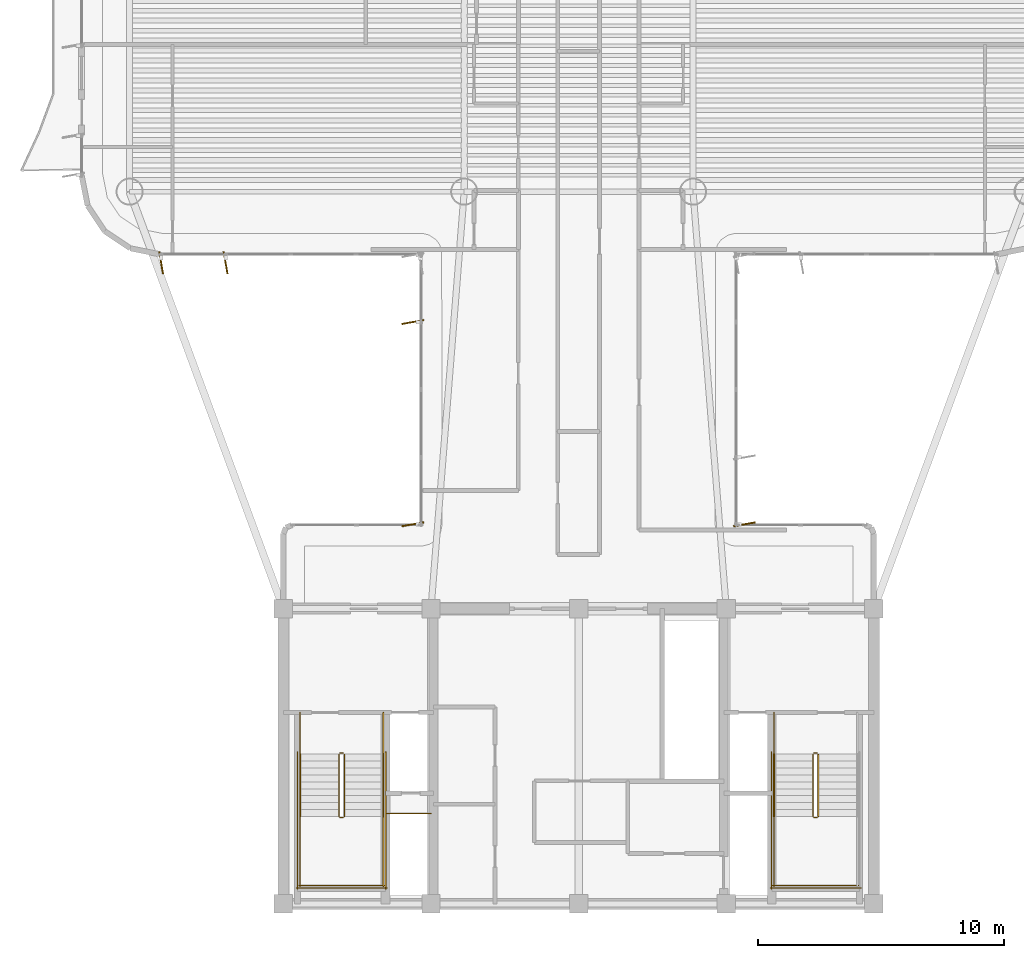
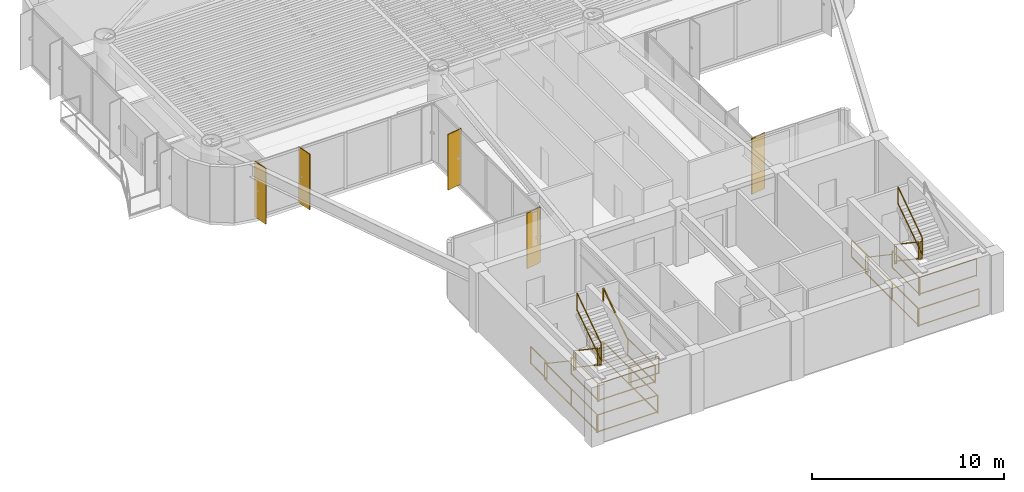
# One storey, part 13 of 14: 25 railings, 5 shading devices.
"""IFC4 building model written with IfcOpenShell, lengths in metres."""

from ifc_helpers import new_model, si_unit, direction, frame, origin, origin_2d, place, context, subcontext, project, spatial, rectangle, extrude, source, transform, mapped, material, layer, layer_set, material_profile, profile_set, type_object, element, save


model = new_model("IFC4")

# Units and contexts
model_context = context("Model", 3, precision=1e-05, world=origin(), true_north=direction((0.0, 1.0)))
body_context = subcontext(model_context, "Body", "Model", "MODEL_VIEW")
ifc_project = project(units=[si_unit("LENGTHUNIT", "METRE"), si_unit("AREAUNIT", "SQUARE_METRE"), si_unit("VOLUMEUNIT", "CUBIC_METRE"), si_unit("PLANEANGLEUNIT", "RADIAN"), si_unit("MASSUNIT", "GRAM", prefix="KILO")], contexts=[model_context])

# Site, building, storey
site_placement = place(None, origin())
site = spatial("IfcSite", under=ifc_project, at=site_placement, CompositionType="ELEMENT")
building_placement = place(site_placement, origin())
building = spatial("IfcBuilding", under=site, at=building_placement, Name="Brelvock Crest Care Tower", CompositionType="ELEMENT")
storey_placement = place(building_placement, frame((0.0, 0.0, 205.56005859375)))
storey = spatial("IfcBuildingStorey", under=building, at=storey_placement, Name="L52", CompositionType="ELEMENT", Elevation=205.56005859375)

# Railings
ifc_material_1 = material(Name="Steel Grade 350", Category="steel")
ifc_layer_1 = layer(ifc_material_1, 0.050048828125, Name="RL-STG1")
ifc_layer_set_1 = layer_set([ifc_layer_1], Name="Steel Grade 350")
railing_type_1 = type_object("IfcRailingType", Name="RL-STG1", PredefinedType="GUARDRAIL", material=ifc_layer_set_1)
railing_1_placement = place(storey_placement, frame((26.260009765625, 12.080078125, 0.18896484375)))
element("IfcRailing", 1, at=railing_1_placement, inside=storey, type_object=railing_type_1, Name="L52 ST-1 stair guard 1", PredefinedType="GUARDRAIL", context=body_context, shape_type="SweptSolid", body=[
    extrude(rectangle(XDim=0.048095703125, YDim=0.048095703125, at=origin_2d()), frame((0.0, -0.001708984375, 1.116943359375), z_axis=(0.0, -0.828861706735, 0.559453546873), x_axis=(1.0, 0.0, 0.0)), (0.0, 0.0, 1.0), 3.036376953125),
    extrude(rectangle(XDim=0.048095703125, YDim=0.048095703125, at=origin_2d()), frame((0.0, -0.001708984375, 0.05615234375), z_axis=(0.0, -0.828861706735, 0.559453546873), x_axis=(1.0, 0.0, 0.0)), (0.0, 0.0, 1.0), 3.036376953125),
    extrude(rectangle(XDim=0.0419921875, YDim=0.0419921875, at=origin_2d()), origin(), (0.0, 0.0, 1.0), 1.08984375),
    extrude(rectangle(XDim=0.0419921875, YDim=0.0419921875, at=origin_2d()), frame((0.0, -2.52001953125, 1.700927734375)), (0.0, 0.0, 1.0), 1.08984375),
])
railing_2_placement = place(storey_placement, frame((26.31005859375, 9.510009765625, 1.889892578125)))
element("IfcRailing", 2, at=railing_2_placement, inside=storey, type_object=railing_type_1, Name="L52 ST-1 stair guard 2", PredefinedType="GUARDRAIL", context=body_context, shape_type="SweptSolid", body=[
    extrude(rectangle(XDim=0.048095703125, YDim=0.048095703125, at=origin_2d()), frame((0.001953125, 0.0, 1.11572265625), z_axis=(1.0, 0.0, 0.0), x_axis=(0.0, 1.0, 0.0)), (0.0, 0.0, 1.0), 0.115966796875),
    extrude(rectangle(XDim=0.048095703125, YDim=0.048095703125, at=origin_2d()), frame((0.001953125, 0.0, 0.054931640625), z_axis=(1.0, 0.0, 0.0), x_axis=(0.0, 1.0, 0.0)), (0.0, 0.0, 1.0), 0.115966796875),
    extrude(rectangle(XDim=0.0419921875, YDim=0.0419921875, at=origin_2d()), origin(), (0.0, 0.0, 1.0), 1.08984375),
    extrude(rectangle(XDim=0.0419921875, YDim=0.0419921875, at=origin_2d()), frame((0.119873046875, 0.0, 0.0)), (0.0, 0.0, 1.0), 1.08984375),
])
for number, where, name in (
    (3, (24.679931640625, 9.56005859375, 1.889892578125), "L52 ST-1 stair guard 3"),
    (4, (28.06005859375, 9.56005859375, 1.889892578125), "L52 ST-1 stair guard 4"),
):
    element("IfcRailing", number, at=place(storey_placement, frame(where)), inside=storey, type_object=railing_type_1, Name=name, PredefinedType="GUARDRAIL", context=body_context, shape_type="SweptSolid", body=[
        extrude(rectangle(XDim=0.048095703125, YDim=0.048095703125, at=origin_2d()), frame((0.0, -0.001953125, 1.11572265625), z_axis=(0.0, -1.0, 0.0), x_axis=(1.0, 0.0, 0.0)), (0.0, 0.0, 1.0), 2.856201171875),
        extrude(rectangle(XDim=0.048095703125, YDim=0.048095703125, at=origin_2d()), frame((0.0, -0.001953125, 0.054931640625), z_axis=(0.0, -1.0, 0.0), x_axis=(1.0, 0.0, 0.0)), (0.0, 0.0, 1.0), 2.856201171875),
        extrude(rectangle(XDim=0.0419921875, YDim=0.0419921875, at=origin_2d()), origin(), (0.0, 0.0, 1.0), 1.08984375),
        extrude(rectangle(XDim=0.0419921875, YDim=0.0419921875, at=origin_2d()), frame((0.0, -2.860107421875, 0.0)), (0.0, 0.0, 1.0), 1.08984375),
    ])
railing_3_placement = place(storey_placement, frame((24.6298828125, 6.75, 1.889892578125)))
element("IfcRailing", 5, at=railing_3_placement, inside=storey, type_object=railing_type_1, Name="L52 ST-1 stair guard 5", PredefinedType="GUARDRAIL", context=body_context, shape_type="SweptSolid", body=[
    extrude(rectangle(XDim=0.048095703125, YDim=0.048095703125, at=origin_2d()), frame((0.001953125, 0.0, 1.11572265625), z_axis=(1.0, 0.0, 0.0), x_axis=(0.0, 1.0, 0.0)), (0.0, 0.0, 1.0), 3.476318359375),
    extrude(rectangle(XDim=0.048095703125, YDim=0.048095703125, at=origin_2d()), frame((0.001953125, 0.0, 0.054931640625), z_axis=(1.0, 0.0, 0.0), x_axis=(0.0, 1.0, 0.0)), (0.0, 0.0, 1.0), 3.476318359375),
    extrude(rectangle(XDim=0.0419921875, YDim=0.0419921875, at=origin_2d()), origin(), (0.0, 0.0, 1.0), 1.08984375),
    extrude(rectangle(XDim=0.0419921875, YDim=0.0419921875, at=origin_2d()), frame((3.480224609375, 0.0, 0.0)), (0.0, 0.0, 1.0), 1.08984375),
])
railing_4_placement = place(storey_placement, frame((26.47998046875, 9.56005859375, 2.078857421875)))
element("IfcRailing", 6, at=railing_4_placement, inside=storey, type_object=railing_type_1, Name="L52 ST-1 stair guard 6", PredefinedType="GUARDRAIL", context=body_context, shape_type="SweptSolid", body=[
    extrude(rectangle(XDim=0.048095703125, YDim=0.048095703125, at=origin_2d()), frame((0.0, 0.001708984375, 1.116943359375), z_axis=(0.0, 0.82882447046, 0.559508710537), x_axis=(-1.0, 0.0, 0.0)), (0.0, 0.0, 1.0), 3.036376953125),
    extrude(rectangle(XDim=0.048095703125, YDim=0.048095703125, at=origin_2d()), frame((0.0, 0.001708984375, 0.05615234375), z_axis=(0.0, 0.82882447046, 0.559508710537), x_axis=(-1.0, 0.0, 0.0)), (0.0, 0.0, 1.0), 3.036376953125),
    extrude(rectangle(XDim=0.0419921875, YDim=0.0419921875, at=origin_2d()), origin(), (0.0, 0.0, 1.0), 1.08984375),
    extrude(rectangle(XDim=0.0419921875, YDim=0.0419921875, at=origin_2d()), frame((0.0, 2.52001953125, 1.701171875)), (0.0, 0.0, 1.0), 1.08984375),
])
railing_5_placement = place(storey_placement, frame((26.31005859375, 12.1298828125, 0.0)))
element("IfcRailing", 7, at=railing_5_placement, inside=storey, type_object=railing_type_1, Name="L52 ST-1 stair guard 7", PredefinedType="GUARDRAIL", context=body_context, shape_type="SweptSolid", body=[
    extrude(rectangle(XDim=0.048095703125, YDim=0.048095703125, at=origin_2d()), frame((0.001953125, 0.0, 1.11572265625), z_axis=(1.0, 0.0, 0.0), x_axis=(0.0, 1.0, 0.0)), (0.0, 0.0, 1.0), 0.115966796875),
    extrude(rectangle(XDim=0.048095703125, YDim=0.048095703125, at=origin_2d()), frame((0.001953125, 0.0, 0.054931640625), z_axis=(1.0, 0.0, 0.0), x_axis=(0.0, 1.0, 0.0)), (0.0, 0.0, 1.0), 0.115966796875),
    extrude(rectangle(XDim=0.0419921875, YDim=0.0419921875, at=origin_2d()), origin(), (0.0, 0.0, 1.0), 1.08984375),
    extrude(rectangle(XDim=0.0419921875, YDim=0.0419921875, at=origin_2d()), frame((0.119873046875, 0.0, 0.0)), (0.0, 0.0, 1.0), 1.08984375),
])
for number, where, name in (
    (8, (24.679931640625, 13.780029296875, 0.0), "L52 ST-1 stair guard 8"),
    (9, (28.06005859375, 13.780029296875, 0.0), "L52 ST-1 stair guard 9"),
):
    element("IfcRailing", number, at=place(storey_placement, frame(where)), inside=storey, type_object=railing_type_1, Name=name, PredefinedType="GUARDRAIL", context=body_context, shape_type="SweptSolid", body=[
        extrude(rectangle(XDim=0.048095703125, YDim=0.048095703125, at=origin_2d()), frame((0.0, -0.001953125, 1.11572265625), z_axis=(0.0, -1.0, 0.0), x_axis=(1.0, 0.0, 0.0)), (0.0, 0.0, 1.0), 1.696044921875),
        extrude(rectangle(XDim=0.048095703125, YDim=0.048095703125, at=origin_2d()), frame((0.0, -0.001953125, 0.054931640625), z_axis=(0.0, -1.0, 0.0), x_axis=(1.0, 0.0, 0.0)), (0.0, 0.0, 1.0), 1.696044921875),
        extrude(rectangle(XDim=0.0419921875, YDim=0.0419921875, at=origin_2d()), origin(), (0.0, 0.0, 1.0), 1.08984375),
        extrude(rectangle(XDim=0.0419921875, YDim=0.0419921875, at=origin_2d()), frame((0.0, -1.699951171875, 0.0)), (0.0, 0.0, 1.0), 1.08984375),
    ])
for number, where, name in (
    (10, (24.580078125, 12.179931640625, 0.0), "L52 ST-1 stair guard 10"),
    (11, (28.159912109375, 12.179931640625, 0.0), "L52 ST-1 stair guard 11"),
):
    element("IfcRailing", number, at=place(storey_placement, frame(where)), inside=storey, type_object=railing_type_1, Name=name, PredefinedType="GUARDRAIL", context=body_context, shape_type="SweptSolid", body=[
        extrude(rectangle(XDim=0.048095703125, YDim=0.048095703125, at=origin_2d()), frame((0.0, -0.001953125, 1.11572265625), z_axis=(0.0, -1.0, 0.0), x_axis=(1.0, 0.0, 0.0)), (0.0, 0.0, 1.0), 5.575927734375),
        extrude(rectangle(XDim=0.048095703125, YDim=0.048095703125, at=origin_2d()), frame((0.0, -0.001953125, 0.054931640625), z_axis=(0.0, -1.0, 0.0), x_axis=(1.0, 0.0, 0.0)), (0.0, 0.0, 1.0), 5.575927734375),
        extrude(rectangle(XDim=0.0419921875, YDim=0.0419921875, at=origin_2d()), origin(), (0.0, 0.0, 1.0), 1.08984375),
        extrude(rectangle(XDim=0.0419921875, YDim=0.0419921875, at=origin_2d()), frame((0.0, -2.7900390625, 0.0)), (0.0, 0.0, 1.0), 1.08984375),
        extrude(rectangle(XDim=0.0419921875, YDim=0.0419921875, at=origin_2d()), frame((0.0, -5.579833984375, 0.0)), (0.0, 0.0, 1.0), 1.08984375),
    ])
railing_6_placement = place(storey_placement, frame((24.530029296875, 6.64990234375, 0.0)))
element("IfcRailing", 12, at=railing_6_placement, inside=storey, type_object=railing_type_1, Name="L52 ST-1 stair guard 12", PredefinedType="GUARDRAIL", context=body_context, shape_type="SweptSolid", body=[
    extrude(rectangle(XDim=0.048095703125, YDim=0.048095703125, at=origin_2d()), frame((0.001953125, 0.0, 1.11572265625), z_axis=(1.0, 0.0, 0.0), x_axis=(0.0, 1.0, 0.0)), (0.0, 0.0, 1.0), 3.676025390625),
    extrude(rectangle(XDim=0.048095703125, YDim=0.048095703125, at=origin_2d()), frame((0.001953125, 0.0, 0.054931640625), z_axis=(1.0, 0.0, 0.0), x_axis=(0.0, 1.0, 0.0)), (0.0, 0.0, 1.0), 3.676025390625),
    extrude(rectangle(XDim=0.0419921875, YDim=0.0419921875, at=origin_2d()), origin(), (0.0, 0.0, 1.0), 1.08984375),
    extrude(rectangle(XDim=0.0419921875, YDim=0.0419921875, at=origin_2d()), frame((3.679931640625, 0.0, 0.0)), (0.0, 0.0, 1.0), 1.08984375),
])
railing_7_placement = place(storey_placement, frame((45.52001953125, 12.080078125, 0.18896484375)))
element("IfcRailing", 13, at=railing_7_placement, inside=storey, type_object=railing_type_1, Name="L52 ST-2 stair guard 1", PredefinedType="GUARDRAIL", context=body_context, shape_type="SweptSolid", body=[
    extrude(rectangle(XDim=0.048095703125, YDim=0.048095703125, at=origin_2d()), frame((0.0, -0.001708984375, 1.116943359375), z_axis=(0.0, -0.828861706735, 0.559453546873), x_axis=(1.0, 0.0, 0.0)), (0.0, 0.0, 1.0), 3.036376953125),
    extrude(rectangle(XDim=0.048095703125, YDim=0.048095703125, at=origin_2d()), frame((0.0, -0.001708984375, 0.05615234375), z_axis=(0.0, -0.828861706735, 0.559453546873), x_axis=(1.0, 0.0, 0.0)), (0.0, 0.0, 1.0), 3.036376953125),
    extrude(rectangle(XDim=0.0419921875, YDim=0.0419921875, at=origin_2d()), origin(), (0.0, 0.0, 1.0), 1.08984375),
    extrude(rectangle(XDim=0.0419921875, YDim=0.0419921875, at=origin_2d()), frame((0.0, -2.52001953125, 1.700927734375)), (0.0, 0.0, 1.0), 1.08984375),
])
railing_8_placement = place(storey_placement, frame((45.570068359375, 9.510009765625, 1.889892578125)))
element("IfcRailing", 14, at=railing_8_placement, inside=storey, type_object=railing_type_1, Name="L52 ST-2 stair guard 2", PredefinedType="GUARDRAIL", context=body_context, shape_type="SweptSolid", body=[
    extrude(rectangle(XDim=0.048095703125, YDim=0.048095703125, at=origin_2d()), frame((0.001953125, 0.0, 1.11572265625), z_axis=(1.0, 0.0, 0.0), x_axis=(0.0, 1.0, 0.0)), (0.0, 0.0, 1.0), 0.115966796875),
    extrude(rectangle(XDim=0.048095703125, YDim=0.048095703125, at=origin_2d()), frame((0.001953125, 0.0, 0.054931640625), z_axis=(1.0, 0.0, 0.0), x_axis=(0.0, 1.0, 0.0)), (0.0, 0.0, 1.0), 0.115966796875),
    extrude(rectangle(XDim=0.0419921875, YDim=0.0419921875, at=origin_2d()), origin(), (0.0, 0.0, 1.0), 1.08984375),
    extrude(rectangle(XDim=0.0419921875, YDim=0.0419921875, at=origin_2d()), frame((0.119873046875, 0.0, 0.0)), (0.0, 0.0, 1.0), 1.08984375),
])
railing_9_placement = place(storey_placement, frame((43.93994140625, 9.56005859375, 1.889892578125)))
element("IfcRailing", 15, at=railing_9_placement, inside=storey, type_object=railing_type_1, Name="L52 ST-2 stair guard 3", PredefinedType="GUARDRAIL", context=body_context, shape_type="SweptSolid", body=[
    extrude(rectangle(XDim=0.048095703125, YDim=0.048095703125, at=origin_2d()), frame((0.0, -0.001953125, 1.11572265625), z_axis=(0.0, -1.0, 0.0), x_axis=(1.0, 0.0, 0.0)), (0.0, 0.0, 1.0), 2.856201171875),
    extrude(rectangle(XDim=0.048095703125, YDim=0.048095703125, at=origin_2d()), frame((0.0, -0.001953125, 0.054931640625), z_axis=(0.0, -1.0, 0.0), x_axis=(1.0, 0.0, 0.0)), (0.0, 0.0, 1.0), 2.856201171875),
    extrude(rectangle(XDim=0.0419921875, YDim=0.0419921875, at=origin_2d()), origin(), (0.0, 0.0, 1.0), 1.08984375),
    extrude(rectangle(XDim=0.0419921875, YDim=0.0419921875, at=origin_2d()), frame((0.0, -2.860107421875, 0.0)), (0.0, 0.0, 1.0), 1.08984375),
])
railing_10_placement = place(storey_placement, frame((43.889892578125, 6.75, 1.889892578125)))
element("IfcRailing", 16, at=railing_10_placement, inside=storey, type_object=railing_type_1, Name="L52 ST-2 stair guard 5", PredefinedType="GUARDRAIL", context=body_context, shape_type="SweptSolid", body=[
    extrude(rectangle(XDim=0.048095703125, YDim=0.048095703125, at=origin_2d()), frame((0.001953125, 0.0, 1.11572265625), z_axis=(1.0, 0.0, 0.0), x_axis=(0.0, 1.0, 0.0)), (0.0, 0.0, 1.0), 3.476318359375),
    extrude(rectangle(XDim=0.048095703125, YDim=0.048095703125, at=origin_2d()), frame((0.001953125, 0.0, 0.054931640625), z_axis=(1.0, 0.0, 0.0), x_axis=(0.0, 1.0, 0.0)), (0.0, 0.0, 1.0), 3.476318359375),
    extrude(rectangle(XDim=0.0419921875, YDim=0.0419921875, at=origin_2d()), origin(), (0.0, 0.0, 1.0), 1.08984375),
    extrude(rectangle(XDim=0.0419921875, YDim=0.0419921875, at=origin_2d()), frame((3.480224609375, 0.0, 0.0)), (0.0, 0.0, 1.0), 1.08984375),
])
railing_11_placement = place(storey_placement, frame((45.739990234375, 9.56005859375, 2.078857421875)))
element("IfcRailing", 17, at=railing_11_placement, inside=storey, type_object=railing_type_1, Name="L52 ST-2 stair guard 6", PredefinedType="GUARDRAIL", context=body_context, shape_type="SweptSolid", body=[
    extrude(rectangle(XDim=0.048095703125, YDim=0.048095703125, at=origin_2d()), frame((0.0, 0.001708984375, 1.116943359375), z_axis=(0.0, 0.82882447046, 0.559508710537), x_axis=(-1.0, 0.0, 0.0)), (0.0, 0.0, 1.0), 3.036376953125),
    extrude(rectangle(XDim=0.048095703125, YDim=0.048095703125, at=origin_2d()), frame((0.0, 0.001708984375, 0.05615234375), z_axis=(0.0, 0.82882447046, 0.559508710537), x_axis=(-1.0, 0.0, 0.0)), (0.0, 0.0, 1.0), 3.036376953125),
    extrude(rectangle(XDim=0.0419921875, YDim=0.0419921875, at=origin_2d()), origin(), (0.0, 0.0, 1.0), 1.08984375),
    extrude(rectangle(XDim=0.0419921875, YDim=0.0419921875, at=origin_2d()), frame((0.0, 2.52001953125, 1.701171875)), (0.0, 0.0, 1.0), 1.08984375),
])
railing_12_placement = place(storey_placement, frame((45.570068359375, 12.1298828125, 0.0)))
element("IfcRailing", 18, at=railing_12_placement, inside=storey, type_object=railing_type_1, Name="L52 ST-2 stair guard 7", PredefinedType="GUARDRAIL", context=body_context, shape_type="SweptSolid", body=[
    extrude(rectangle(XDim=0.048095703125, YDim=0.048095703125, at=origin_2d()), frame((0.001953125, 0.0, 1.11572265625), z_axis=(1.0, 0.0, 0.0), x_axis=(0.0, 1.0, 0.0)), (0.0, 0.0, 1.0), 0.115966796875),
    extrude(rectangle(XDim=0.048095703125, YDim=0.048095703125, at=origin_2d()), frame((0.001953125, 0.0, 0.054931640625), z_axis=(1.0, 0.0, 0.0), x_axis=(0.0, 1.0, 0.0)), (0.0, 0.0, 1.0), 0.115966796875),
    extrude(rectangle(XDim=0.0419921875, YDim=0.0419921875, at=origin_2d()), origin(), (0.0, 0.0, 1.0), 1.08984375),
    extrude(rectangle(XDim=0.0419921875, YDim=0.0419921875, at=origin_2d()), frame((0.119873046875, 0.0, 0.0)), (0.0, 0.0, 1.0), 1.08984375),
])
railing_13_placement = place(storey_placement, frame((43.93994140625, 13.780029296875, 0.0)))
element("IfcRailing", 19, at=railing_13_placement, inside=storey, type_object=railing_type_1, Name="L52 ST-2 stair guard 8", PredefinedType="GUARDRAIL", context=body_context, shape_type="SweptSolid", body=[
    extrude(rectangle(XDim=0.048095703125, YDim=0.048095703125, at=origin_2d()), frame((0.0, -0.001953125, 1.11572265625), z_axis=(0.0, -1.0, 0.0), x_axis=(1.0, 0.0, 0.0)), (0.0, 0.0, 1.0), 1.696044921875),
    extrude(rectangle(XDim=0.048095703125, YDim=0.048095703125, at=origin_2d()), frame((0.0, -0.001953125, 0.054931640625), z_axis=(0.0, -1.0, 0.0), x_axis=(1.0, 0.0, 0.0)), (0.0, 0.0, 1.0), 1.696044921875),
    extrude(rectangle(XDim=0.0419921875, YDim=0.0419921875, at=origin_2d()), origin(), (0.0, 0.0, 1.0), 1.08984375),
    extrude(rectangle(XDim=0.0419921875, YDim=0.0419921875, at=origin_2d()), frame((0.0, -1.699951171875, 0.0)), (0.0, 0.0, 1.0), 1.08984375),
])
railing_14_placement = place(storey_placement, frame((43.840087890625, 12.179931640625, 0.0)))
element("IfcRailing", 20, at=railing_14_placement, inside=storey, type_object=railing_type_1, Name="L52 ST-2 stair guard 10", PredefinedType="GUARDRAIL", context=body_context, shape_type="SweptSolid", body=[
    extrude(rectangle(XDim=0.048095703125, YDim=0.048095703125, at=origin_2d()), frame((0.0, -0.001953125, 1.11572265625), z_axis=(0.0, -1.0, 0.0), x_axis=(1.0, 0.0, 0.0)), (0.0, 0.0, 1.0), 5.575927734375),
    extrude(rectangle(XDim=0.048095703125, YDim=0.048095703125, at=origin_2d()), frame((0.0, -0.001953125, 0.054931640625), z_axis=(0.0, -1.0, 0.0), x_axis=(1.0, 0.0, 0.0)), (0.0, 0.0, 1.0), 5.575927734375),
    extrude(rectangle(XDim=0.0419921875, YDim=0.0419921875, at=origin_2d()), origin(), (0.0, 0.0, 1.0), 1.08984375),
    extrude(rectangle(XDim=0.0419921875, YDim=0.0419921875, at=origin_2d()), frame((0.0, -2.7900390625, 0.0)), (0.0, 0.0, 1.0), 1.08984375),
    extrude(rectangle(XDim=0.0419921875, YDim=0.0419921875, at=origin_2d()), frame((0.0, -5.579833984375, 0.0)), (0.0, 0.0, 1.0), 1.08984375),
])
railing_15_placement = place(storey_placement, frame((43.7900390625, 6.64990234375, 0.0)))
element("IfcRailing", 21, at=railing_15_placement, inside=storey, type_object=railing_type_1, Name="L52 ST-2 stair guard 12", PredefinedType="GUARDRAIL", context=body_context, shape_type="SweptSolid", body=[
    extrude(rectangle(XDim=0.048095703125, YDim=0.048095703125, at=origin_2d()), frame((0.001953125, 0.0, 1.11572265625), z_axis=(1.0, 0.0, 0.0), x_axis=(0.0, 1.0, 0.0)), (0.0, 0.0, 1.0), 3.676025390625),
    extrude(rectangle(XDim=0.048095703125, YDim=0.048095703125, at=origin_2d()), frame((0.001953125, 0.0, 0.054931640625), z_axis=(1.0, 0.0, 0.0), x_axis=(0.0, 1.0, 0.0)), (0.0, 0.0, 1.0), 3.676025390625),
    extrude(rectangle(XDim=0.0419921875, YDim=0.0419921875, at=origin_2d()), origin(), (0.0, 0.0, 1.0), 1.08984375),
    extrude(rectangle(XDim=0.0419921875, YDim=0.0419921875, at=origin_2d()), frame((3.679931640625, 0.0, 0.0)), (0.0, 0.0, 1.0), 1.08984375),
])
railing_16_placement = place(storey_placement, frame((28.219970703125, 9.679931640625, 0.0)))
element("IfcRailing", 22, at=railing_16_placement, inside=storey, type_object=railing_type_1, Name="L52 Fire Riser Threshold Guard", PredefinedType="GUARDRAIL", context=body_context, shape_type="SweptSolid", body=[
    extrude(rectangle(XDim=0.048095703125, YDim=0.048095703125, at=origin_2d()), frame((0.001953125, 0.0, 1.11572265625), z_axis=(1.0, 0.0, 0.0), x_axis=(0.0, 1.0, 0.0)), (0.0, 0.0, 1.0), 1.776123046875),
    extrude(rectangle(XDim=0.048095703125, YDim=0.048095703125, at=origin_2d()), frame((0.001953125, 0.0, 0.054931640625), z_axis=(1.0, 0.0, 0.0), x_axis=(0.0, 1.0, 0.0)), (0.0, 0.0, 1.0), 1.776123046875),
    extrude(rectangle(XDim=0.0419921875, YDim=0.0419921875, at=origin_2d()), origin(), (0.0, 0.0, 1.0), 1.08984375),
    extrude(rectangle(XDim=0.0419921875, YDim=0.0419921875, at=origin_2d()), frame((1.780029296875, 0.0, 0.0)), (0.0, 0.0, 1.0), 1.08984375),
])
ifc_layer_2 = layer(ifc_material_1, 0.048095703125, Name="RL-STH1")
ifc_layer_set_2 = layer_set([ifc_layer_2], Name="Steel Grade 350")
railing_type_2 = type_object("IfcRailingType", Name="RL-STH1", PredefinedType="HANDRAIL", material=ifc_layer_set_2)
railing_17_placement = place(storey_placement, frame((24.679931640625, 12.080078125, 0.18896484375)))
element("IfcRailing", 23, at=railing_17_placement, inside=storey, type_object=railing_type_2, Name="L52 ST-1 stair handrail 1", PredefinedType="HANDRAIL", context=body_context, shape_type="SweptSolid", body=[
    extrude(rectangle(XDim=0.048095703125, YDim=0.048095703125, at=origin_2d()), frame((0.0, -0.001708984375, 0.876953125), z_axis=(0.0, -0.828861706735, 0.559453546873), x_axis=(1.0, 0.0, 0.0)), (0.0, 0.0, 1.0), 3.036376953125),
    extrude(rectangle(XDim=0.0419921875, YDim=0.0419921875, at=origin_2d()), origin(), (0.0, 0.0, 1.0), 0.849853515625),
    extrude(rectangle(XDim=0.0419921875, YDim=0.0419921875, at=origin_2d()), frame((0.0, -2.52001953125, 1.700927734375)), (0.0, 0.0, 1.0), 0.849853515625),
])
railing_18_placement = place(storey_placement, frame((28.06005859375, 9.56005859375, 2.078857421875)))
element("IfcRailing", 24, at=railing_18_placement, inside=storey, type_object=railing_type_2, Name="L52 ST-1 stair handrail 2", PredefinedType="HANDRAIL", context=body_context, shape_type="SweptSolid", body=[
    extrude(rectangle(XDim=0.048095703125, YDim=0.048095703125, at=origin_2d()), frame((0.0, 0.001708984375, 0.876953125), z_axis=(0.0, 0.82882447046, 0.559508710537), x_axis=(-1.0, 0.0, 0.0)), (0.0, 0.0, 1.0), 3.036376953125),
    extrude(rectangle(XDim=0.0419921875, YDim=0.0419921875, at=origin_2d()), origin(), (0.0, 0.0, 1.0), 0.849853515625),
    extrude(rectangle(XDim=0.0419921875, YDim=0.0419921875, at=origin_2d()), frame((0.0, 2.52001953125, 1.701171875)), (0.0, 0.0, 1.0), 0.849853515625),
])
railing_19_placement = place(storey_placement, frame((43.93994140625, 12.080078125, 0.18896484375)))
element("IfcRailing", 25, at=railing_19_placement, inside=storey, type_object=railing_type_2, Name="L52 ST-2 stair handrail 1", PredefinedType="HANDRAIL", context=body_context, shape_type="SweptSolid", body=[
    extrude(rectangle(XDim=0.048095703125, YDim=0.048095703125, at=origin_2d()), frame((0.0, -0.001708984375, 0.876953125), z_axis=(0.0, -0.828861706735, 0.559453546873), x_axis=(1.0, 0.0, 0.0)), (0.0, 0.0, 1.0), 3.036376953125),
    extrude(rectangle(XDim=0.0419921875, YDim=0.0419921875, at=origin_2d()), origin(), (0.0, 0.0, 1.0), 0.849853515625),
    extrude(rectangle(XDim=0.0419921875, YDim=0.0419921875, at=origin_2d()), frame((0.0, -2.52001953125, 1.700927734375)), (0.0, 0.0, 1.0), 0.849853515625),
])

# Shading devices
ifc_material_2 = material(Name="Aluminium 6063-T6", Category="aluminium")
ifc_material_profile = material_profile(ifc_material_2, rectangle(XDim=0.054931640625, YDim=0.89990234375, at=origin_2d()), Name="FIN55x900")
ifc_profile_set = profile_set([ifc_material_profile], Name="Aluminium 6063-T6")
shading_device_type = type_object("IfcShadingDeviceType", Name="SHD-FIN1", PredefinedType="USERDEFINED", material=ifc_profile_set)
shared_shape = source(origin(), body_context, "Body", "SweptSolid", [
    extrude(rectangle(XDim=0.054931640625, YDim=0.89990234375, at=origin_2d()), origin(), (0.0, 0.0, 1.0), 3.530029296875),
])
for number, where, z_axis, x_axis, name in (
    (26, (29.260009765625, 21.429931640625, 0.0), (0.0, 0.0, 1.0), (-0.173648177667, 0.984807753012, 0.0), "L52 Vertical Sunshade Fin E11-01"),
    (27, (29.260009765625, 29.64990234375, 0.0), (0.0, 0.0, 1.0), (-0.173648177667, 0.984807753012, 0.0), "L52 Vertical Sunshade Fin E11-04"),
    (28, (21.64990234375, 32.06005859375, 0.0), (0.0, 0.0, 1.0), (-0.984807753012, -0.173648177667, 0.0), "L52 Vertical Sunshade Fin E12-04"),
    (29, (19.030029296875, 32.06005859375, 0.0), (0.0, 0.0, 1.0), (-0.984807753012, -0.173648177667, 0.0), "L52 Vertical Sunshade Fin E12-05"),
    (30, (42.739990234375, 21.429931640625, 0.0), (0.0, 0.0, 1.0), (0.173648177667, -0.984807753012, 0.0), "L52 Vertical Sunshade Fin E45-05"),
):
    element("IfcShadingDevice", number, at=place(storey_placement, frame(where, z_axis=z_axis, x_axis=x_axis)), inside=storey, type_object=shading_device_type, Name=name, ObjectType="FIN", PredefinedType="USERDEFINED", context=body_context, shape_type="MappedRepresentation", body=[
        mapped(shared_shape, transform((0.0, 0.0, 0.0), x_axis=(1.0, 0.0, 0.0), y_axis=(0.0, 1.0, 0.0), z_axis=(0.0, 0.0, 1.0), scale=1.0)),
    ])

save(model, "model.ifc")
